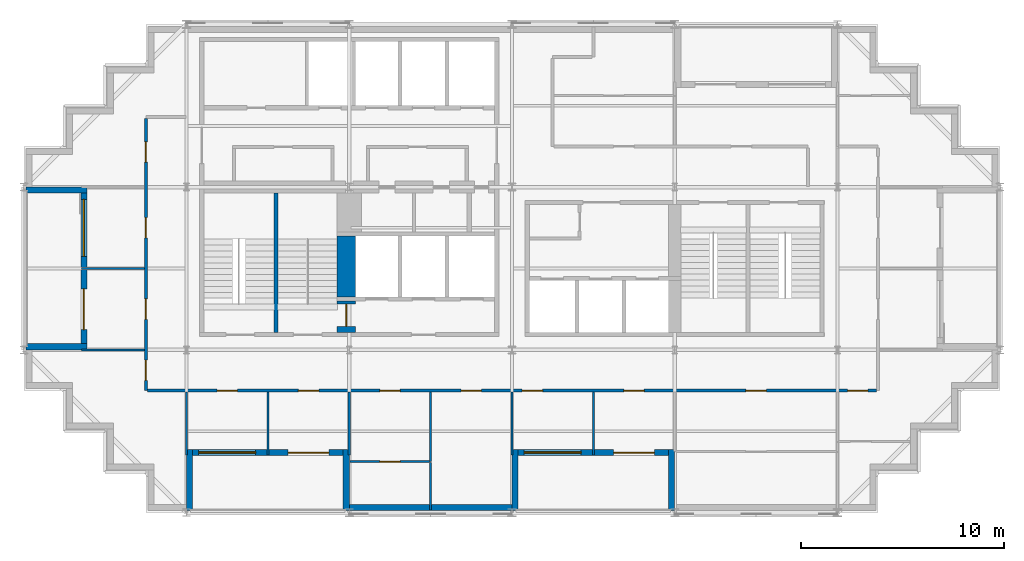
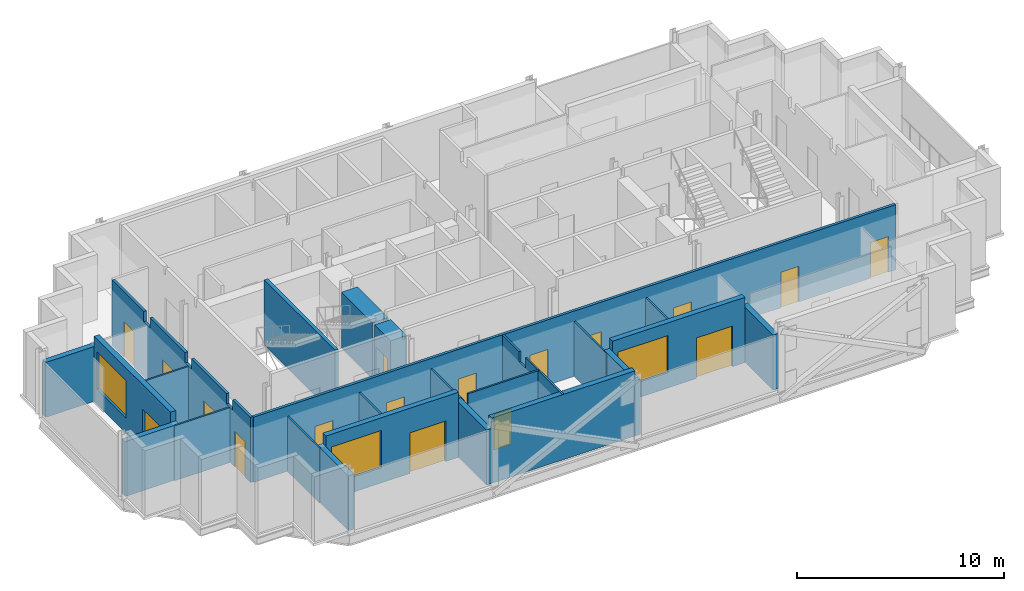
# One storey, part 4 of 9: 25 walls, 17 doors, 3 windows, 20 openings.
"""IFC4 building model written with IfcOpenShell, lengths in metres."""

from ifc_helpers import new_model, si_unit, direction, frame, frame_2d, origin, place, context, subcontext, project, spatial, polyline, rectangle, outline, extrude, material, layer, layer_set, type_object, element, fill, save


model = new_model("IFC4")

# Units and contexts
model_context = context("Model", 3, precision=1e-05, world=origin(), true_north=direction((0.0, 1.0)))
body_context = subcontext(model_context, "Body", "Model", "MODEL_VIEW")
ifc_project = project(units=[si_unit("LENGTHUNIT", "METRE"), si_unit("AREAUNIT", "SQUARE_METRE"), si_unit("VOLUMEUNIT", "CUBIC_METRE"), si_unit("PLANEANGLEUNIT", "RADIAN"), si_unit("MASSUNIT", "GRAM", prefix="KILO")], contexts=[model_context])

# Site, building, storey
site_placement = place(None, origin())
site = spatial("IfcSite", under=ifc_project, at=site_placement, CompositionType="ELEMENT")
building_placement = place(site_placement, origin())
building = spatial("IfcBuilding", under=site, at=building_placement, Name="Immortelle Media Tower", CompositionType="ELEMENT")
storey_placement = place(building_placement, frame((0.0, 0.0, 287.0)))
storey = spatial("IfcBuildingStorey", under=building, at=storey_placement, Name="L63", CompositionType="ELEMENT", Elevation=287.0)

# Wall, openings, doors
ifc_material_1 = material(Name="Fire-rated gypsum board", Category="gypsum")
ifc_layer_1 = layer(ifc_material_1, 0.012451171875)
ifc_material_2 = material(Name="Steel ASTM A653 SS Gr 50 stud frame with mineral wool", Category="steel")
ifc_layer_2 = layer(ifc_material_2, 0.125)
ifc_layer_3 = layer(ifc_material_1, 0.012451171875)
ifc_layer_set_1 = layer_set([ifc_layer_1, ifc_layer_2, ifc_layer_3], Name="Steel ASTM A653 SS Gr 50 stud frame with mineral wool")
wall_type_1 = type_object("IfcWallType", Name="Corridor wall 150", PredefinedType="PARTITIONING", material=ifc_layer_set_1)
wall_1_placement = place(storey_placement, frame((6.074951171875, 6.0, 0.0), z_axis=(0.0, 0.0, 1.0), x_axis=(1.0, 0.0, 0.0)))
wall_1 = element("IfcWall", 1, at=wall_1_placement, inside=storey, type_object=wall_type_1, Name="Partition L63-015", PredefinedType="PARTITIONING", context=body_context, shape_type="SweptSolid", body=[
    extrude(rectangle(XDim=35.85009765625, YDim=0.14990234375, at=frame_2d((17.925048828125, 0.0))), origin(), (0.0, 0.0, 1.0), 3.85009765625),
])
opening_1_placement = place(wall_1_placement, frame((12.425048828125, 0.0, 0.0), z_axis=(0.0, 0.0, 1.0), x_axis=(-1.0, 0.0, 0.0)))
opening_1 = element("IfcOpeningElement", 2, at=opening_1_placement, cuts=wall_1, Name="Opening X5-F001", PredefinedType="OPENING", context=body_context, shape_type="SweptSolid", body=[
    extrude(rectangle(XDim=1.0, YDim=2.10009765625, at=frame_2d((0.5, 1.050048828125))), frame((0.0, 0.0849609375, 0.0), z_axis=(0.0, -1.0, 0.0), x_axis=(1.0, 0.0, 0.0)), (0.0, 0.0, 1.0), 0.169921875),
])
opening_2_placement = place(wall_1_placement, frame((16.425048828125, 0.0, 0.0), z_axis=(0.0, 0.0, 1.0), x_axis=(-1.0, 0.0, 0.0)))
opening_2 = element("IfcOpeningElement", 3, at=opening_2_placement, cuts=wall_1, Name="Opening X5-F003", PredefinedType="OPENING", context=body_context, shape_type="SweptSolid", body=[
    extrude(rectangle(XDim=1.0, YDim=2.10009765625, at=frame_2d((0.5, 1.050048828125))), frame((0.0, 0.0849609375, 0.0), z_axis=(0.0, -1.0, 0.0), x_axis=(1.0, 0.0, 0.0)), (0.0, 0.0, 1.0), 0.169921875),
])
opening_3_placement = place(wall_1_placement, frame((29.425048828125, 0.0, 0.0)))
opening_3 = element("IfcOpeningElement", 4, at=opening_3_placement, cuts=wall_1, Name="Opening X5-F004", PredefinedType="OPENING", context=body_context, shape_type="SweptSolid", body=[
    extrude(rectangle(XDim=1.0, YDim=2.10009765625, at=frame_2d((0.5, 1.050048828125))), frame((0.0, 0.0849609375, 0.0), z_axis=(0.0, -1.0, 0.0), x_axis=(1.0, 0.0, 0.0)), (0.0, 0.0, 1.0), 0.169921875),
])
opening_4_placement = place(wall_1_placement, frame((35.425048828125, 0.0, 0.0), z_axis=(0.0, 0.0, 1.0), x_axis=(-1.0, 0.0, 0.0)))
opening_4 = element("IfcOpeningElement", 5, at=opening_4_placement, cuts=wall_1, Name="Opening X5-F006", PredefinedType="OPENING", context=body_context, shape_type="SweptSolid", body=[
    extrude(rectangle(XDim=1.0, YDim=2.10009765625, at=frame_2d((0.5, 1.050048828125))), frame((0.0, 0.0849609375, 0.0), z_axis=(0.0, -1.0, 0.0), x_axis=(1.0, 0.0, 0.0)), (0.0, 0.0, 1.0), 0.169921875),
])
opening_5_placement = place(wall_1_placement, frame((4.425048828125, 0.0, 0.0), z_axis=(0.0, 0.0, 1.0), x_axis=(-1.0, 0.0, 0.0)))
opening_5 = element("IfcOpeningElement", 6, at=opening_5_placement, cuts=wall_1, Name="Opening X5-F008", PredefinedType="OPENING", context=body_context, shape_type="SweptSolid", body=[
    extrude(rectangle(XDim=1.0, YDim=2.10009765625, at=frame_2d((0.5, 1.050048828125))), frame((0.0, 0.0849609375, 0.0), z_axis=(0.0, -1.0, 0.0), x_axis=(1.0, 0.0, 0.0)), (0.0, 0.0, 1.0), 0.169921875),
])
opening_6_placement = place(wall_1_placement, frame((8.425048828125, 0.0, 0.0), z_axis=(0.0, 0.0, 1.0), x_axis=(-1.0, 0.0, 0.0)))
opening_6 = element("IfcOpeningElement", 7, at=opening_6_placement, cuts=wall_1, Name="Opening X5-F009", PredefinedType="OPENING", context=body_context, shape_type="SweptSolid", body=[
    extrude(rectangle(XDim=1.0, YDim=2.10009765625, at=frame_2d((0.5, 1.050048828125))), frame((0.0, 0.0849609375, 0.0), z_axis=(0.0, -1.0, 0.0), x_axis=(1.0, 0.0, 0.0)), (0.0, 0.0, 1.0), 0.169921875),
])
opening_7_placement = place(wall_1_placement, frame((19.425048828125, 0.0, 0.0), z_axis=(0.0, 0.0, 1.0), x_axis=(-1.0, 0.0, 0.0)))
opening_7 = element("IfcOpeningElement", 8, at=opening_7_placement, cuts=wall_1, Name="Opening X5-F010", PredefinedType="OPENING", context=body_context, shape_type="SweptSolid", body=[
    extrude(rectangle(XDim=1.0, YDim=2.10009765625, at=frame_2d((0.5, 1.050048828125))), frame((0.0, 0.0849609375, 0.0), z_axis=(0.0, -1.0, 0.0), x_axis=(1.0, 0.0, 0.0)), (0.0, 0.0, 1.0), 0.169921875),
])
opening_8_placement = place(wall_1_placement, frame((24.425048828125, 0.0, 0.0), z_axis=(0.0, 0.0, 1.0), x_axis=(-1.0, 0.0, 0.0)))
opening_8 = element("IfcOpeningElement", 9, at=opening_8_placement, cuts=wall_1, Name="Opening X5-F011", PredefinedType="OPENING", context=body_context, shape_type="SweptSolid", body=[
    extrude(rectangle(XDim=1.0, YDim=2.10009765625, at=frame_2d((0.5, 1.050048828125))), frame((0.0, 0.0849609375, 0.0), z_axis=(0.0, -1.0, 0.0), x_axis=(1.0, 0.0, 0.0)), (0.0, 0.0, 1.0), 0.169921875),
])
ifc_material_3 = material(Name="Timber veneered door leaf, galvanised steel frame ASTM A653", Category="steel")
door_type_1 = type_object("IfcDoorType", Name="Room door 1000 x 2100", OperationType="NOTDEFINED", PredefinedType="DOOR", material=ifc_material_3)
door_1_placement = place(opening_1_placement, origin())
door_1 = element("IfcDoor", 10, at=door_1_placement, inside=storey, type_object=door_type_1, Name="Door X5-F001", OperationType="SINGLE_SWING_LEFT", OverallHeight=2.10009765625, OverallWidth=1.0, PredefinedType="DOOR", context=body_context, shape_type="SweptSolid", body=[
    extrude(rectangle(XDim=1.0, YDim=2.10009765625, at=frame_2d((0.5, 1.050048828125))), frame((0.0, 0.02490234375, 0.0), z_axis=(0.0, -1.0, 0.0), x_axis=(1.0, 0.0, 0.0)), (0.0, 0.0, 1.0), 0.050048828125),
])
fill(opening_1, door_1)
door_2_placement = place(opening_2_placement, origin())
door_2 = element("IfcDoor", 11, at=door_2_placement, inside=storey, type_object=door_type_1, Name="Door X5-F003", OperationType="SINGLE_SWING_RIGHT", OverallHeight=2.10009765625, OverallWidth=1.0, PredefinedType="DOOR", context=body_context, shape_type="SweptSolid", body=[
    extrude(rectangle(XDim=1.0, YDim=2.10009765625, at=frame_2d((0.5, 1.050048828125))), frame((0.0, 0.02490234375, 0.0), z_axis=(0.0, -1.0, 0.0), x_axis=(1.0, 0.0, 0.0)), (0.0, 0.0, 1.0), 0.050048828125),
])
fill(opening_2, door_2)
door_3_placement = place(opening_3_placement, origin())
door_3 = element("IfcDoor", 12, at=door_3_placement, inside=storey, type_object=door_type_1, Name="Door X5-F004", OperationType="SINGLE_SWING_RIGHT", OverallHeight=2.10009765625, OverallWidth=1.0, PredefinedType="DOOR", context=body_context, shape_type="SweptSolid", body=[
    extrude(rectangle(XDim=1.0, YDim=2.10009765625, at=frame_2d((0.5, 1.050048828125))), frame((0.0, 0.02490234375, 0.0), z_axis=(0.0, -1.0, 0.0), x_axis=(1.0, 0.0, 0.0)), (0.0, 0.0, 1.0), 0.050048828125),
])
fill(opening_3, door_3)
door_4_placement = place(opening_4_placement, origin())
door_4 = element("IfcDoor", 13, at=door_4_placement, inside=storey, type_object=door_type_1, Name="Door X5-F006", OperationType="SINGLE_SWING_RIGHT", OverallHeight=2.10009765625, OverallWidth=1.0, PredefinedType="DOOR", context=body_context, shape_type="SweptSolid", body=[
    extrude(rectangle(XDim=1.0, YDim=2.10009765625, at=frame_2d((0.5, 1.050048828125))), frame((0.0, 0.02490234375, 0.0), z_axis=(0.0, -1.0, 0.0), x_axis=(1.0, 0.0, 0.0)), (0.0, 0.0, 1.0), 0.050048828125),
])
fill(opening_4, door_4)
door_5_placement = place(opening_5_placement, origin())
door_5 = element("IfcDoor", 14, at=door_5_placement, inside=storey, type_object=door_type_1, Name="Door X5-F008", OperationType="SINGLE_SWING_RIGHT", OverallHeight=2.10009765625, OverallWidth=1.0, PredefinedType="DOOR", context=body_context, shape_type="SweptSolid", body=[
    extrude(rectangle(XDim=1.0, YDim=2.10009765625, at=frame_2d((0.5, 1.050048828125))), frame((0.0, 0.02490234375, 0.0), z_axis=(0.0, -1.0, 0.0), x_axis=(1.0, 0.0, 0.0)), (0.0, 0.0, 1.0), 0.050048828125),
])
fill(opening_5, door_5)
door_6_placement = place(opening_6_placement, origin())
door_6 = element("IfcDoor", 15, at=door_6_placement, inside=storey, type_object=door_type_1, Name="Door X5-F009", OperationType="SINGLE_SWING_LEFT", OverallHeight=2.10009765625, OverallWidth=1.0, PredefinedType="DOOR", context=body_context, shape_type="SweptSolid", body=[
    extrude(rectangle(XDim=1.0, YDim=2.10009765625, at=frame_2d((0.5, 1.050048828125))), frame((0.0, 0.02490234375, 0.0), z_axis=(0.0, -1.0, 0.0), x_axis=(1.0, 0.0, 0.0)), (0.0, 0.0, 1.0), 0.050048828125),
])
fill(opening_6, door_6)
door_7_placement = place(opening_7_placement, origin())
door_7 = element("IfcDoor", 16, at=door_7_placement, inside=storey, type_object=door_type_1, Name="Door X5-F010", OperationType="SINGLE_SWING_RIGHT", OverallHeight=2.10009765625, OverallWidth=1.0, PredefinedType="DOOR", context=body_context, shape_type="SweptSolid", body=[
    extrude(rectangle(XDim=1.0, YDim=2.10009765625, at=frame_2d((0.5, 1.050048828125))), frame((0.0, 0.02490234375, 0.0), z_axis=(0.0, -1.0, 0.0), x_axis=(1.0, 0.0, 0.0)), (0.0, 0.0, 1.0), 0.050048828125),
])
fill(opening_7, door_7)
door_8_placement = place(opening_8_placement, origin())
door_8 = element("IfcDoor", 17, at=door_8_placement, inside=storey, type_object=door_type_1, Name="Door X5-F011", OperationType="SINGLE_SWING_RIGHT", OverallHeight=2.10009765625, OverallWidth=1.0, PredefinedType="DOOR", context=body_context, shape_type="SweptSolid", body=[
    extrude(rectangle(XDim=1.0, YDim=2.10009765625, at=frame_2d((0.5, 1.050048828125))), frame((0.0, 0.02490234375, 0.0), z_axis=(0.0, -1.0, 0.0), x_axis=(1.0, 0.0, 0.0)), (0.0, 0.0, 1.0), 0.050048828125),
])
fill(opening_8, door_8)

wall_2_placement = place(storey_placement, frame((6.0, 6.0, 0.0), z_axis=(0.0, 0.0, 1.0), x_axis=(0.0, 1.0, 0.0)))
wall_2 = element("IfcWall", 18, at=wall_2_placement, inside=storey, type_object=wall_type_1, Name="Partition L63-016", PredefinedType="PARTITIONING", context=body_context, shape_type="SweptSolid", body=[
    extrude(outline(polyline([(0.0, 0.0), (13.375, 0.0), (13.375, 3.85009765625), (10.300048828125, 3.85009765625), (10.298095703125, 3.238037109375), (9.701904296875, 3.238037109375), (9.699951171875, 3.85009765625), (6.300048828125, 3.85009765625), (6.298095703125, 3.238037109375), (5.701904296875, 3.238037109375), (5.699951171875, 3.85009765625), (2.300048828125, 3.85009765625), (2.298095703125, 3.238037109375), (1.701904296875, 3.238037109375), (1.699951171875, 3.85009765625), (0.0, 3.85009765625), (0.0, 0.0)])), frame((0.0, 0.074951171875, 0.0), z_axis=(0.0, -1.0, 0.0), x_axis=(1.0, 0.0, 0.0)), (0.0, 0.0, 1.0), 0.14990234375),
])
opening_9_placement = place(wall_2_placement, frame((1.5, 0.0, 0.0), z_axis=(0.0, 0.0, 1.0), x_axis=(-1.0, 0.0, 0.0)))
opening_9 = element("IfcOpeningElement", 19, at=opening_9_placement, cuts=wall_2, Name="Opening X5-F012", PredefinedType="OPENING", context=body_context, shape_type="SweptSolid", body=[
    extrude(rectangle(XDim=1.0, YDim=2.10009765625, at=frame_2d((0.5, 1.050048828125))), frame((0.0, 0.0849609375, 0.0), z_axis=(0.0, -1.0, 0.0), x_axis=(1.0, 0.0, 0.0)), (0.0, 0.0, 1.0), 0.169921875),
])
opening_10_placement = place(wall_2_placement, frame((3.5, 0.0, 0.0)))
opening_10 = element("IfcOpeningElement", 20, at=opening_10_placement, cuts=wall_2, Name="Opening X5-F013", PredefinedType="OPENING", context=body_context, shape_type="SweptSolid", body=[
    extrude(rectangle(XDim=1.0, YDim=2.10009765625, at=frame_2d((0.5, 1.050048828125))), frame((0.0, 0.0849609375, 0.0), z_axis=(0.0, -1.0, 0.0), x_axis=(1.0, 0.0, 0.0)), (0.0, 0.0, 1.0), 0.169921875),
])
opening_11_placement = place(wall_2_placement, frame((7.5, 0.0, 0.0)))
opening_11 = element("IfcOpeningElement", 21, at=opening_11_placement, cuts=wall_2, Name="Opening X5-F014", PredefinedType="OPENING", context=body_context, shape_type="SweptSolid", body=[
    extrude(rectangle(XDim=1.0, YDim=2.10009765625, at=frame_2d((0.5, 1.050048828125))), frame((0.0, 0.0849609375, 0.0), z_axis=(0.0, -1.0, 0.0), x_axis=(1.0, 0.0, 0.0)), (0.0, 0.0, 1.0), 0.169921875),
])
opening_12_placement = place(wall_2_placement, frame((12.22509765625, 0.0, 0.0), z_axis=(0.0, 0.0, 1.0), x_axis=(-1.0, 0.0, 0.0)))
opening_12 = element("IfcOpeningElement", 22, at=opening_12_placement, cuts=wall_2, Name="Opening X5-F017", PredefinedType="OPENING", context=body_context, shape_type="SweptSolid", body=[
    extrude(rectangle(XDim=1.0, YDim=2.10009765625, at=frame_2d((0.5, 1.050048828125))), frame((0.0, 0.0849609375, 0.0), z_axis=(0.0, -1.0, 0.0), x_axis=(1.0, 0.0, 0.0)), (0.0, 0.0, 1.0), 0.169921875),
])
door_9_placement = place(opening_9_placement, origin())
door_9 = element("IfcDoor", 23, at=door_9_placement, inside=storey, type_object=door_type_1, Name="Door X5-F012", OperationType="SINGLE_SWING_LEFT", OverallHeight=2.10009765625, OverallWidth=1.0, PredefinedType="DOOR", context=body_context, shape_type="SweptSolid", body=[
    extrude(rectangle(XDim=1.0, YDim=2.10009765625, at=frame_2d((0.5, 1.050048828125))), frame((0.0, 0.02490234375, 0.0), z_axis=(0.0, -1.0, 0.0), x_axis=(1.0, 0.0, 0.0)), (0.0, 0.0, 1.0), 0.050048828125),
])
fill(opening_9, door_9)
door_10_placement = place(opening_10_placement, origin())
door_10 = element("IfcDoor", 24, at=door_10_placement, inside=storey, type_object=door_type_1, Name="Door X5-F013", OperationType="SINGLE_SWING_RIGHT", OverallHeight=2.10009765625, OverallWidth=1.0, PredefinedType="DOOR", context=body_context, shape_type="SweptSolid", body=[
    extrude(rectangle(XDim=1.0, YDim=2.10009765625, at=frame_2d((0.5, 1.050048828125))), frame((0.0, 0.02490234375, 0.0), z_axis=(0.0, -1.0, 0.0), x_axis=(1.0, 0.0, 0.0)), (0.0, 0.0, 1.0), 0.050048828125),
])
fill(opening_10, door_10)
door_11_placement = place(opening_11_placement, origin())
door_11 = element("IfcDoor", 25, at=door_11_placement, inside=storey, type_object=door_type_1, Name="Door X5-F014", OperationType="SINGLE_SWING_RIGHT", OverallHeight=2.10009765625, OverallWidth=1.0, PredefinedType="DOOR", context=body_context, shape_type="SweptSolid", body=[
    extrude(rectangle(XDim=1.0, YDim=2.10009765625, at=frame_2d((0.5, 1.050048828125))), frame((0.0, 0.02490234375, 0.0), z_axis=(0.0, -1.0, 0.0), x_axis=(1.0, 0.0, 0.0)), (0.0, 0.0, 1.0), 0.050048828125),
])
fill(opening_11, door_11)
door_12_placement = place(opening_12_placement, origin())
door_12 = element("IfcDoor", 26, at=door_12_placement, inside=storey, type_object=door_type_1, Name="Door X5-F017", OperationType="SINGLE_SWING_LEFT", OverallHeight=2.10009765625, OverallWidth=1.0, PredefinedType="DOOR", context=body_context, shape_type="SweptSolid", body=[
    extrude(rectangle(XDim=1.0, YDim=2.10009765625, at=frame_2d((0.5, 1.050048828125))), frame((0.0, 0.02490234375, 0.0), z_axis=(0.0, -1.0, 0.0), x_axis=(1.0, 0.0, 0.0)), (0.0, 0.0, 1.0), 0.050048828125),
])
fill(opening_12, door_12)

# Wall, openings, door, window
ifc_material_4 = material(Name="Pale aluminium cladding panel", Category="aluminium")
ifc_layer_4 = layer(ifc_material_4, 0.030029296875)
ifc_layer_5 = layer(ifc_material_2, 0.257568359375)
ifc_material_5 = material(Name="Moisture-resistant gypsum board", Category="gypsum")
ifc_layer_6 = layer(ifc_material_5, 0.012451171875)
ifc_layer_set_2 = layer_set([ifc_layer_4, ifc_layer_5, ifc_layer_6], Name="Steel ASTM A653 SS Gr 50 stud frame with mineral wool")
wall_type_2 = type_object("IfcWallType", Name="Facade wall 300", PredefinedType="SOLIDWALL", material=ifc_layer_set_2)
wall_3_placement = place(storey_placement, frame((8.300048828125, 2.949951171875, 0.0), z_axis=(0.0, 0.0, 1.0), x_axis=(1.0, 0.0, 0.0)))
wall_3 = element("IfcWall", 27, at=wall_3_placement, inside=storey, type_object=wall_type_2, Name="Loggia wall L63 S6", PredefinedType="SOLIDWALL", context=body_context, shape_type="SweptSolid", body=[
    extrude(rectangle(XDim=7.39990234375, YDim=0.300048828125, at=frame_2d((3.699951171875, 0.0))), origin(), (0.0, 0.0, 1.0), 3.85009765625),
])
opening_13_placement = place(wall_3_placement, frame((0.300048828125, 0.0, 0.89990234375)))
opening_13 = element("IfcOpeningElement", 28, at=opening_13_placement, cuts=wall_3, Name="Opening W1", PredefinedType="OPENING", context=body_context, shape_type="SweptSolid", body=[
    extrude(rectangle(XDim=2.800048828125, YDim=2.199951171875, at=frame_2d((1.39990234375, 1.10009765625))), frame((0.0, 0.159912109375, 0.0), z_axis=(0.0, -1.0, 0.0), x_axis=(1.0, 0.0, 0.0)), (0.0, 0.0, 1.0), 0.320068359375),
])
opening_14_placement = place(wall_3_placement, frame((4.699951171875, 0.0, 0.0)))
opening_14 = element("IfcOpeningElement", 29, at=opening_14_placement, cuts=wall_3, Name="Opening X5-E001", PredefinedType="OPENING", context=body_context, shape_type="SweptSolid", body=[
    extrude(rectangle(XDim=2.0, YDim=2.39990234375, at=frame_2d((1.0, 1.199951171875))), frame((0.0, 0.159912109375, 0.0), z_axis=(0.0, -1.0, 0.0), x_axis=(1.0, 0.0, 0.0)), (0.0, 0.0, 1.0), 0.320068359375),
])
ifc_material_6 = material(Name="Aluminium frame, glazed leaves", Category="aluminium")
door_type_2 = type_object("IfcDoorType", Name="Loggia door 2000 x 2400", OperationType="DOUBLE_DOOR_SINGLE_SWING", PredefinedType="DOOR", material=ifc_material_6)
door_13_placement = place(opening_14_placement, origin())
door_13 = element("IfcDoor", 30, at=door_13_placement, inside=storey, type_object=door_type_2, Name="Door X5-E001", OperationType="DOUBLE_DOOR_SINGLE_SWING", OverallHeight=2.39990234375, OverallWidth=2.0, PredefinedType="DOOR", context=body_context, shape_type="SweptSolid", body=[
    extrude(rectangle(XDim=2.0, YDim=2.39990234375, at=frame_2d((1.0, 1.199951171875))), frame((0.0, 0.02490234375, 0.0), z_axis=(0.0, -1.0, 0.0), x_axis=(1.0, 0.0, 0.0)), (0.0, 0.0, 1.0), 0.050048828125),
])
fill(opening_14, door_13)
ifc_material_7 = material(Name="Aluminium frame", Category="aluminium")
window_type = type_object("IfcWindowType", Name="Window 2800 x 2200", PartitioningType="SINGLE_PANEL", PredefinedType="WINDOW", material=ifc_material_7)
window_1_placement = place(opening_13_placement, origin())
window_1 = element("IfcWindow", 31, at=window_1_placement, inside=storey, type_object=window_type, Name="Window L63 L63-R6-B0", OverallHeight=2.199951171875, OverallWidth=2.800048828125, PartitioningType="SINGLE_PANEL", PredefinedType="WINDOW", context=body_context, shape_type="SweptSolid", body=[
    extrude(rectangle(XDim=2.800048828125, YDim=2.199951171875, at=frame_2d((1.39990234375, 1.10009765625))), frame((0.0, 0.030029296875, 0.0), z_axis=(0.0, -1.0, 0.0), x_axis=(1.0, 0.0, 0.0)), (0.0, 0.0, 1.0), 0.06005859375),
])
fill(opening_13, window_1)

# Walls
wall_4_placement = place(storey_placement, frame((8.14990234375, 0.10009765625, 0.0), z_axis=(0.0, 0.0, 1.0), x_axis=(0.0, 1.0, 0.0)))
element("IfcWall", 32, at=wall_4_placement, inside=storey, type_object=wall_type_2, Name="Loggia cheek wall L63 S", PredefinedType="SOLIDWALL", context=body_context, shape_type="SweptSolid", body=[
    extrude(rectangle(XDim=3.0, YDim=0.300048828125, at=frame_2d((1.5, 0.0))), origin(), (0.0, 0.0, 1.0), 3.237060546875),
])
wall_5_placement = place(storey_placement, frame((15.85009765625, 0.10009765625, 0.0), z_axis=(0.0, 0.0, 1.0), x_axis=(0.0, 1.0, 0.0)))
element("IfcWall", 33, at=wall_5_placement, inside=storey, type_object=wall_type_2, Name="Loggia cheek wall L63 S", PredefinedType="SOLIDWALL", context=body_context, shape_type="SweptSolid", body=[
    extrude(rectangle(XDim=3.0, YDim=0.300048828125, at=frame_2d((1.5, 0.0))), origin(), (0.0, 0.0, 1.0), 3.2470703125),
])
wall_6_placement = place(storey_placement, frame((16.0, 0.25, 0.0), z_axis=(0.0, 0.0, 1.0), x_axis=(1.0, 0.0, 0.0)))
element("IfcWall", 34, at=wall_6_placement, inside=storey, type_object=wall_type_2, Name="Facade wall L63 S6", PredefinedType="SOLIDWALL", context=body_context, shape_type="SweptSolid", body=[
    extrude(rectangle(XDim=8.0, YDim=0.300048828125, at=frame_2d((4.0, 0.0))), origin(), (0.0, 0.0, 1.0), 3.85009765625),
])

# Wall, openings, door, window
wall_7_placement = place(storey_placement, frame((24.300048828125, 2.949951171875, 0.0), z_axis=(0.0, 0.0, 1.0), x_axis=(1.0, 0.0, 0.0)))
wall_7 = element("IfcWall", 35, at=wall_7_placement, inside=storey, type_object=wall_type_2, Name="Loggia wall L63 S6", PredefinedType="SOLIDWALL", context=body_context, shape_type="SweptSolid", body=[
    extrude(rectangle(XDim=7.39990234375, YDim=0.300048828125, at=frame_2d((3.699951171875, 0.0))), origin(), (0.0, 0.0, 1.0), 3.85009765625),
])
opening_15_placement = place(wall_7_placement, frame((0.300048828125, 0.0, 0.89990234375)))
opening_15 = element("IfcOpeningElement", 36, at=opening_15_placement, cuts=wall_7, Name="Opening W1", PredefinedType="OPENING", context=body_context, shape_type="SweptSolid", body=[
    extrude(rectangle(XDim=2.800048828125, YDim=2.199951171875, at=frame_2d((1.39990234375, 1.10009765625))), frame((0.0, 0.159912109375, 0.0), z_axis=(0.0, -1.0, 0.0), x_axis=(1.0, 0.0, 0.0)), (0.0, 0.0, 1.0), 0.320068359375),
])
opening_16_placement = place(wall_7_placement, frame((4.699951171875, 0.0, 0.0)))
opening_16 = element("IfcOpeningElement", 37, at=opening_16_placement, cuts=wall_7, Name="Opening X5-E002", PredefinedType="OPENING", context=body_context, shape_type="SweptSolid", body=[
    extrude(rectangle(XDim=2.0, YDim=2.39990234375, at=frame_2d((1.0, 1.199951171875))), frame((0.0, 0.159912109375, 0.0), z_axis=(0.0, -1.0, 0.0), x_axis=(1.0, 0.0, 0.0)), (0.0, 0.0, 1.0), 0.320068359375),
])
door_14_placement = place(opening_16_placement, origin())
door_14 = element("IfcDoor", 38, at=door_14_placement, inside=storey, type_object=door_type_2, Name="Door X5-E002", OperationType="DOUBLE_DOOR_SINGLE_SWING", OverallHeight=2.39990234375, OverallWidth=2.0, PredefinedType="DOOR", context=body_context, shape_type="SweptSolid", body=[
    extrude(rectangle(XDim=2.0, YDim=2.39990234375, at=frame_2d((1.0, 1.199951171875))), frame((0.0, 0.02490234375, 0.0), z_axis=(0.0, -1.0, 0.0), x_axis=(1.0, 0.0, 0.0)), (0.0, 0.0, 1.0), 0.050048828125),
])
fill(opening_16, door_14)
window_2_placement = place(opening_15_placement, origin())
window_2 = element("IfcWindow", 39, at=window_2_placement, inside=storey, type_object=window_type, Name="Window L63 L63-R6-B2", OverallHeight=2.199951171875, OverallWidth=2.800048828125, PartitioningType="SINGLE_PANEL", PredefinedType="WINDOW", context=body_context, shape_type="SweptSolid", body=[
    extrude(rectangle(XDim=2.800048828125, YDim=2.199951171875, at=frame_2d((1.39990234375, 1.10009765625))), frame((0.0, 0.030029296875, 0.0), z_axis=(0.0, -1.0, 0.0), x_axis=(1.0, 0.0, 0.0)), (0.0, 0.0, 1.0), 0.06005859375),
])
fill(opening_15, window_2)

# Walls
for number, where, z_axis, x_axis, name in (
    (40, (24.14990234375, 0.10009765625, 0.0), (0.0, 0.0, 1.0), (0.0, 1.0, 0.0), "Loggia cheek wall L63 S"),
    (41, (31.85009765625, 0.10009765625, 0.0), (0.0, 0.0, 1.0), (0.0, 1.0, 0.0), "Loggia cheek wall L63 S"),
):
    element("IfcWall", number, at=place(storey_placement, frame(where, z_axis=z_axis, x_axis=x_axis)), inside=storey, type_object=wall_type_2, Name=name, PredefinedType="SOLIDWALL", context=body_context, shape_type="SweptSolid", body=[
        extrude(rectangle(XDim=3.0, YDim=0.300048828125, at=frame_2d((1.5, 0.0))), origin(), (0.0, 0.0, 1.0), 3.2470703125),
    ])

# Wall, openings, door, window
wall_8_placement = place(storey_placement, frame((2.949951171875, 15.699951171875, 0.0), z_axis=(0.0, 0.0, 1.0), x_axis=(0.0, -1.0, 0.0)))
wall_8 = element("IfcWall", 42, at=wall_8_placement, inside=storey, type_object=wall_type_2, Name="Loggia wall L63 W27", PredefinedType="SOLIDWALL", context=body_context, shape_type="SweptSolid", body=[
    extrude(rectangle(XDim=7.39990234375, YDim=0.300048828125, at=frame_2d((3.699951171875, 0.0))), origin(), (0.0, 0.0, 1.0), 3.85009765625),
])
opening_17_placement = place(wall_8_placement, frame((0.300048828125, 0.0, 0.89990234375)))
opening_17 = element("IfcOpeningElement", 43, at=opening_17_placement, cuts=wall_8, Name="Opening W1", PredefinedType="OPENING", context=body_context, shape_type="SweptSolid", body=[
    extrude(rectangle(XDim=2.800048828125, YDim=2.199951171875, at=frame_2d((1.39990234375, 1.10009765625))), frame((0.0, 0.159912109375, 0.0), z_axis=(0.0, -1.0, 0.0), x_axis=(1.0, 0.0, 0.0)), (0.0, 0.0, 1.0), 0.320068359375),
])
opening_18_placement = place(wall_8_placement, frame((4.699951171875, 0.0, 0.0)))
opening_18 = element("IfcOpeningElement", 44, at=opening_18_placement, cuts=wall_8, Name="Opening X5-E006", PredefinedType="OPENING", context=body_context, shape_type="SweptSolid", body=[
    extrude(rectangle(XDim=2.0, YDim=2.39990234375, at=frame_2d((1.0, 1.199951171875))), frame((0.0, 0.159912109375, 0.0), z_axis=(0.0, -1.0, 0.0), x_axis=(1.0, 0.0, 0.0)), (0.0, 0.0, 1.0), 0.320068359375),
])
door_15_placement = place(opening_18_placement, origin())
door_15 = element("IfcDoor", 45, at=door_15_placement, inside=storey, type_object=door_type_2, Name="Door X5-E006", OperationType="DOUBLE_DOOR_SINGLE_SWING", OverallHeight=2.39990234375, OverallWidth=2.0, PredefinedType="DOOR", context=body_context, shape_type="SweptSolid", body=[
    extrude(rectangle(XDim=2.0, YDim=2.39990234375, at=frame_2d((1.0, 1.199951171875))), frame((0.0, 0.02490234375, 0.0), z_axis=(0.0, -1.0, 0.0), x_axis=(1.0, 0.0, 0.0)), (0.0, 0.0, 1.0), 0.050048828125),
])
fill(opening_18, door_15)
window_3_placement = place(opening_17_placement, origin())
window_3 = element("IfcWindow", 46, at=window_3_placement, inside=storey, type_object=window_type, Name="Window L63 L63-R27-B0", OverallHeight=2.199951171875, OverallWidth=2.800048828125, PartitioningType="SINGLE_PANEL", PredefinedType="WINDOW", context=body_context, shape_type="SweptSolid", body=[
    extrude(rectangle(XDim=2.800048828125, YDim=2.199951171875, at=frame_2d((1.39990234375, 1.10009765625))), frame((0.0, 0.030029296875, 0.0), z_axis=(0.0, -1.0, 0.0), x_axis=(1.0, 0.0, 0.0)), (0.0, 0.0, 1.0), 0.06005859375),
])
fill(opening_17, window_3)

# Walls
for number, where, z_axis, x_axis, name in (
    (47, (0.10009765625, 15.85009765625, 0.0), (0.0, 0.0, 1.0), (1.0, 0.0, 0.0), "Loggia cheek wall L63 W"),
    (48, (0.10009765625, 8.14990234375, 0.0), (0.0, 0.0, 1.0), (1.0, 0.0, 0.0), "Loggia cheek wall L63 W"),
):
    element("IfcWall", number, at=place(storey_placement, frame(where, z_axis=z_axis, x_axis=x_axis)), inside=storey, type_object=wall_type_2, Name=name, PredefinedType="SOLIDWALL", context=body_context, shape_type="SweptSolid", body=[
        extrude(rectangle(XDim=3.0, YDim=0.300048828125, at=frame_2d((1.5, 0.0))), origin(), (0.0, 0.0, 1.0), 3.237060546875),
    ])
ifc_material_8 = material(Name="Gypsum board", Category="gypsum")
ifc_layer_7 = layer(ifc_material_8, 0.012451171875)
ifc_layer_8 = layer(ifc_material_2, 0.074951171875)
ifc_layer_9 = layer(ifc_material_8, 0.012451171875)
ifc_layer_set_3 = layer_set([ifc_layer_7, ifc_layer_8, ifc_layer_9], Name="Steel ASTM A653 SS Gr 50 stud frame with mineral wool")
wall_type_3 = type_object("IfcWallType", Name="Partition 100", PredefinedType="PARTITIONING", material=ifc_layer_set_3)
wall_9_placement = place(storey_placement, frame((20.0, 0.1298828125, 0.0), z_axis=(0.0, 0.0, 1.0), x_axis=(0.0, 1.0, 0.0)))
element("IfcWall", 49, at=wall_9_placement, inside=storey, type_object=wall_type_3, Name="Partition L63-001", PredefinedType="PARTITIONING", context=body_context, shape_type="SweptSolid", body=[
    extrude(rectangle(XDim=2.320068359375, YDim=0.10009765625, at=frame_2d((1.16015625, 0.0))), origin(), (0.0, 0.0, 1.0), 3.85009765625),
])

# Wall, opening, door
wall_10_placement = place(storey_placement, frame((16.030029296875, 2.5, 0.0), z_axis=(0.0, 0.0, 1.0), x_axis=(1.0, 0.0, 0.0)))
wall_10 = element("IfcWall", 50, at=wall_10_placement, inside=storey, type_object=wall_type_3, Name="Partition L63-003", PredefinedType="PARTITIONING", context=body_context, shape_type="SweptSolid", body=[
    extrude(rectangle(XDim=3.919921875, YDim=0.10009765625, at=frame_2d((1.9599609375, 0.0))), origin(), (0.0, 0.0, 1.0), 3.85009765625),
])
opening_19_placement = place(wall_10_placement, frame((1.469970703125, 0.0, 0.0)))
opening_19 = element("IfcOpeningElement", 51, at=opening_19_placement, cuts=wall_10, Name="Opening X5-F002", PredefinedType="OPENING", context=body_context, shape_type="SweptSolid", body=[
    extrude(rectangle(XDim=1.0, YDim=2.10009765625, at=frame_2d((0.5, 1.050048828125))), frame((0.0, 0.06005859375, 0.0), z_axis=(0.0, -1.0, 0.0), x_axis=(1.0, 0.0, 0.0)), (0.0, 0.0, 1.0), 0.1201171875),
])
door_16_placement = place(opening_19_placement, origin())
door_16 = element("IfcDoor", 52, at=door_16_placement, inside=storey, type_object=door_type_1, Name="Door X5-F002", OperationType="SINGLE_SWING_RIGHT", OverallHeight=2.10009765625, OverallWidth=1.0, PredefinedType="DOOR", context=body_context, shape_type="SweptSolid", body=[
    extrude(rectangle(XDim=1.0, YDim=2.10009765625, at=frame_2d((0.5, 1.050048828125))), frame((0.0, 0.02490234375, 0.0), z_axis=(0.0, -1.0, 0.0), x_axis=(1.0, 0.0, 0.0)), (0.0, 0.0, 1.0), 0.050048828125),
])
fill(opening_19, door_16)

# Walls
wall_11_placement = place(storey_placement, frame((20.0, 2.5, 0.0), z_axis=(0.0, 0.0, 1.0), x_axis=(0.0, 1.0, 0.0)))
element("IfcWall", 53, at=wall_11_placement, inside=storey, type_object=wall_type_3, Name="Partition L63-004", PredefinedType="PARTITIONING", context=body_context, shape_type="SweptSolid", body=[
    extrude(outline(polyline([(0.0, 0.0), (3.425048828125, 0.0), (3.425048828125, 3.85009765625), (1.800048828125, 3.85009765625), (1.798095703125, 3.238037109375), (1.201904296875, 3.238037109375), (1.199951171875, 3.85009765625), (0.0, 3.85009765625), (0.0, 0.0)])), frame((0.0, 0.050048828125, 0.0), z_axis=(0.0, -1.0, 0.0), x_axis=(1.0, 0.0, 0.0)), (0.0, 0.0, 1.0), 0.10009765625),
])
for number, where, z_axis, x_axis, name in (
    (54, (8.0, 2.830078125, 0.0), (0.0, 0.0, 1.0), (0.0, 1.0, 0.0), "Partition L63-005"),
    (55, (12.0, 2.830078125, 0.0), (0.0, 0.0, 1.0), (0.0, 1.0, 0.0), "Partition L63-006"),
    (56, (16.0, 2.830078125, 0.0), (0.0, 0.0, 1.0), (0.0, 1.0, 0.0), "Partition L63-007"),
    (57, (24.0, 2.830078125, 0.0), (0.0, 0.0, 1.0), (0.0, 1.0, 0.0), "Partition L63-008"),
    (58, (28.0, 2.830078125, 0.0), (0.0, 0.0, 1.0), (0.0, 1.0, 0.0), "Partition L63-009"),
    (59, (2.830078125, 8.0, 0.0), (0.0, 0.0, 1.0), (1.0, 0.0, 0.0), "Partition L63-018"),
    (60, (2.830078125, 12.0, 0.0), (0.0, 0.0, 1.0), (1.0, 0.0, 0.0), "Partition L63-020"),
):
    element("IfcWall", number, at=place(storey_placement, frame(where, z_axis=z_axis, x_axis=x_axis)), inside=storey, type_object=wall_type_3, Name=name, PredefinedType="PARTITIONING", context=body_context, shape_type="SweptSolid", body=[
        extrude(rectangle(XDim=3.094970703125, YDim=0.10009765625, at=frame_2d((1.54736328125, 0.0))), origin(), (0.0, 0.0, 1.0), 3.238037109375),
    ])
ifc_material_9 = material(Name="Concrete C60", Category="concrete")
ifc_layer_10 = layer(ifc_material_9, 0.199951171875)
ifc_layer_set_4 = layer_set([ifc_layer_10], Name="Concrete C60")
wall_type_4 = type_object("IfcWallType", Name="Stair shaft wall 200", PredefinedType="PARTITIONING", material=ifc_layer_set_4)
wall_12_placement = place(storey_placement, frame((12.39990234375, 8.85009765625, 0.0), z_axis=(0.0, 0.0, 1.0), x_axis=(0.0, 1.0, 0.0)))
element("IfcWall", 61, at=wall_12_placement, inside=storey, type_object=wall_type_4, Name="Stair shaft wall SW", PredefinedType="PARTITIONING", context=body_context, shape_type="SweptSolid", body=[
    extrude(rectangle(XDim=6.849853515625, YDim=0.199951171875, at=frame_2d((3.4248046875, 0.0))), origin(), (0.0, 0.0, 1.0), 3.85009765625),
])

# Wall, opening, door
ifc_layer_11 = layer(ifc_material_9, 0.89990234375)
ifc_layer_set_5 = layer_set([ifc_layer_11], Name="Concrete C60")
wall_type_5 = type_object("IfcWallType", Name="Stair shaft wall 900", PredefinedType="PARTITIONING", material=ifc_layer_set_5)
wall_13_placement = place(storey_placement, frame((15.85009765625, 8.85009765625, 0.0), z_axis=(0.0, 0.0, 1.0), x_axis=(0.0, 1.0, 0.0)))
wall_13 = element("IfcWall", 62, at=wall_13_placement, inside=storey, type_object=wall_type_5, Name="Stair shaft wall SW", PredefinedType="PARTITIONING", context=body_context, shape_type="SweptSolid", body=[
    extrude(rectangle(XDim=1.5498046875, YDim=0.89990234375, at=frame_2d((0.77490234375, 0.0))), origin(), (0.0, 0.0, 1.0), 3.318115234375),
])
opening_20_placement = place(wall_13_placement, frame((0.300048828125, 0.0, 0.0)))
opening_20 = element("IfcOpeningElement", 63, at=opening_20_placement, cuts=wall_13, Name="Opening X5-K007", PredefinedType="OPENING", context=body_context, shape_type="SweptSolid", body=[
    extrude(rectangle(XDim=1.10009765625, YDim=2.10009765625, at=frame_2d((0.550048828125, 1.050048828125))), frame((0.0, 0.4599609375, 0.0), z_axis=(0.0, -1.0, 0.0), x_axis=(1.0, 0.0, 0.0)), (0.0, 0.0, 1.0), 0.919921875),
])
ifc_material_10 = material(Name="Galvanised steel door leaf and frame ASTM A653", Category="steel")
door_type_3 = type_object("IfcDoorType", Name="Stair lobby door 1100 x 2100", OperationType="NOTDEFINED", PredefinedType="NOTDEFINED", material=ifc_material_10)
door_17_placement = place(opening_20_placement, origin())
door_17 = element("IfcDoor", 64, at=door_17_placement, inside=storey, type_object=door_type_3, Name="Stair lobby X5-K007", OperationType="SINGLE_SWING_LEFT", OverallHeight=2.10009765625, OverallWidth=1.10009765625, PredefinedType="NOTDEFINED", context=body_context, shape_type="SweptSolid", body=[
    extrude(rectangle(XDim=1.10009765625, YDim=2.10009765625, at=frame_2d((0.550048828125, 1.050048828125))), frame((0.0, 0.02490234375, 0.0), z_axis=(0.0, -1.0, 0.0), x_axis=(1.0, 0.0, 0.0)), (0.0, 0.0, 1.0), 0.050048828125),
])
fill(opening_20, door_17)

# Wall
wall_14_placement = place(storey_placement, frame((15.85009765625, 10.60009765625, 0.0), z_axis=(0.0, 0.0, 1.0), x_axis=(0.0, 1.0, 0.0)))
element("IfcWall", 65, at=wall_14_placement, inside=storey, type_object=wall_type_5, Name="Stair shaft wall SW", PredefinedType="PARTITIONING", context=body_context, shape_type="SweptSolid", body=[
    extrude(rectangle(XDim=3.0, YDim=0.89990234375, at=frame_2d((1.5, 0.0))), origin(), (0.0, 0.0, 1.0), 3.318115234375),
])

save(model, "model.ifc")
